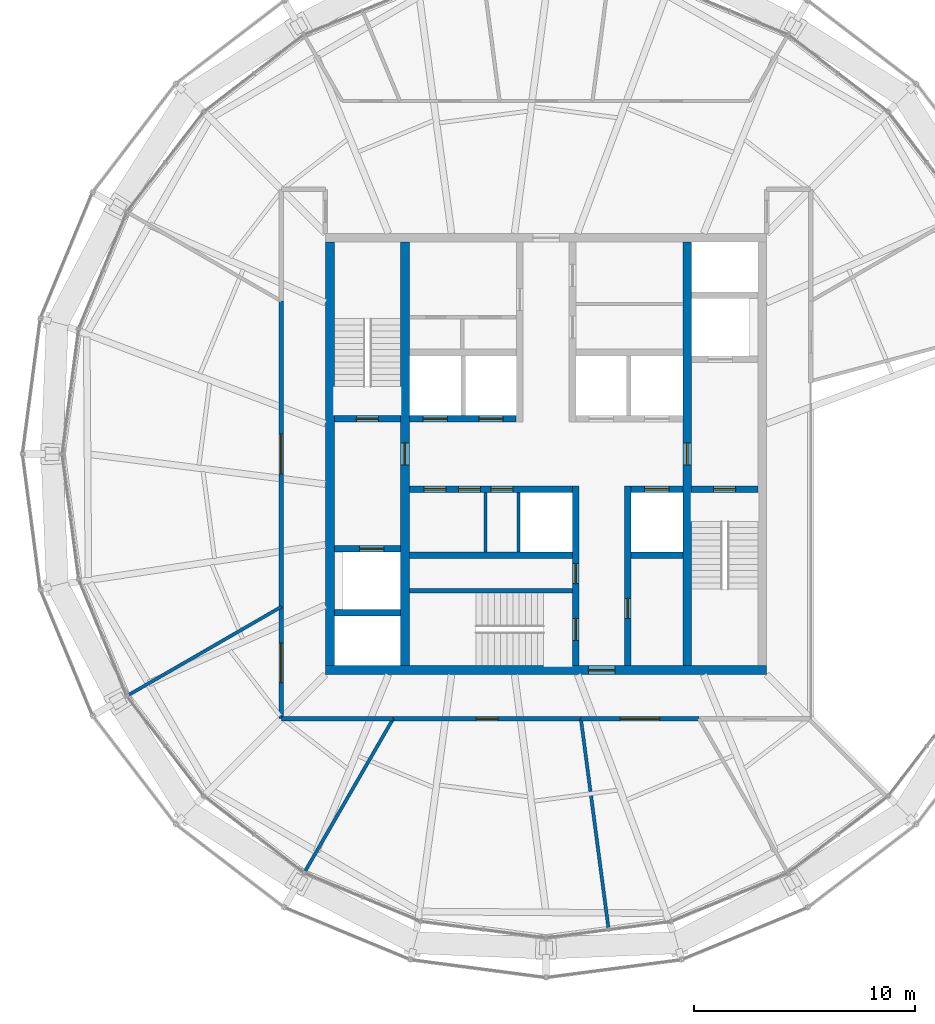
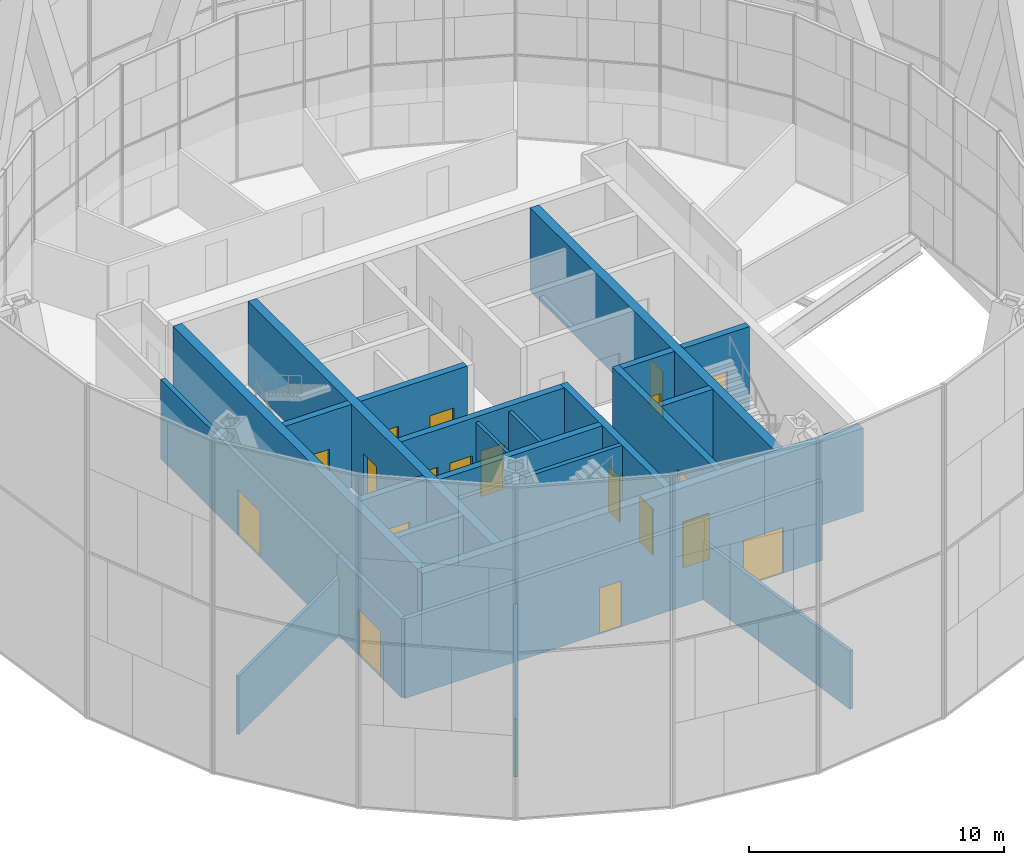
# One storey, part 19 of 22: 26 walls, 19 doors, 19 openings.
"""IFC4 building model written with IfcOpenShell, lengths in metres."""

from ifc_helpers import new_model, si_unit, direction, frame, frame_2d, origin, place, context, subcontext, project, spatial, rectangle, extrude, material, layer, layer_set, type_object, element, fill, save


model = new_model("IFC4")

# Units and contexts
model_context = context("Model", 3, precision=1e-05, world=origin(), true_north=direction((0.0, 1.0)))
body_context = subcontext(model_context, "Body", "Model", "MODEL_VIEW")
ifc_project = project(units=[si_unit("LENGTHUNIT", "METRE"), si_unit("AREAUNIT", "SQUARE_METRE"), si_unit("VOLUMEUNIT", "CUBIC_METRE"), si_unit("PLANEANGLEUNIT", "RADIAN"), si_unit("MASSUNIT", "GRAM", prefix="KILO")], contexts=[model_context])

# Site, building, storey
site_placement = place(None, origin())
site = spatial("IfcSite", under=ifc_project, at=site_placement, CompositionType="ELEMENT")
building_placement = place(site_placement, origin())
building = spatial("IfcBuilding", under=site, at=building_placement, Name="Golbaran Civic Tower", CompositionType="ELEMENT")
storey_placement = place(building_placement, frame((0.0, 0.0, 264.0)))
storey = spatial("IfcBuildingStorey", under=building, at=storey_placement, Name="L64", CompositionType="ELEMENT", Elevation=264.0)

# Walls
ifc_material_1 = material(Name="Concrete block", Category="concrete")
ifc_layer_1 = layer(ifc_material_1, 0.14990234375, Name="Concrete block")
ifc_layer_set_1 = layer_set([ifc_layer_1], Name="Concrete block")
wall_type_1 = type_object("IfcWallType", Name="BLOCKWORK PARTITION 150", PredefinedType="PARTITIONING", material=ifc_layer_set_1)
for number, where, z_axis, x_axis, name in (
    (1, (-2.739990234375, -1.75, 0.0), (0.0, 0.0, 1.0), (0.0, -1.0, 0.0), "Core room partition HP0 L64"),
    (2, (-1.25, -1.75, 0.0), (0.0, 0.0, 1.0), (0.0, -1.0, 0.0), "Lift H3 hoistway west wall L64"),
):
    element("IfcWall", number, at=place(storey_placement, frame(where, z_axis=z_axis, x_axis=x_axis)), inside=storey, type_object=wall_type_1, Name=name, PredefinedType="PARTITIONING", context=body_context, shape_type="SweptSolid", body=[
        extrude(rectangle(XDim=2.699951171875, YDim=0.14990234375, at=frame_2d((1.35009765625, 0.0))), origin(), (0.0, 0.0, 1.0), 3.75),
    ])

# Wall, opening, door
ifc_material_2 = material(Name="Concrete C50/60", Category="concrete")
ifc_layer_2 = layer(ifc_material_2, 0.39990234375, Name="Concrete C50/60")
ifc_layer_set_2 = layer_set([ifc_layer_2], Name="Concrete C50/60")
wall_type_2 = type_object("IfcWallType", Name="CORE WALL CONCRETE 400", PredefinedType="SOLIDWALL", material=ifc_layer_set_2)
wall_1_placement = place(storey_placement, frame((10.0, -9.800048828125, 0.0), z_axis=(0.0, 0.0, 1.0), x_axis=(-1.0, 0.0, 0.0)))
wall_1 = element("IfcWall", 3, at=wall_1_placement, inside=storey, type_object=wall_type_2, Name="Core wall CS L64", PredefinedType="SOLIDWALL", context=body_context, shape_type="SweptSolid", body=[
    extrude(rectangle(XDim=20.0, YDim=0.39990234375, at=frame_2d((10.0, 0.0))), origin(), (0.0, 0.0, 1.0), 4.0),
])
opening_1_placement = place(wall_1_placement, frame((6.875, 0.0, 0.0)))
opening_1 = element("IfcOpeningElement", 4, at=opening_1_placement, cuts=wall_1, Name="Opening L64.CS", PredefinedType="OPENING", context=body_context, shape_type="SweptSolid", body=[
    extrude(rectangle(XDim=1.199951171875, YDim=2.199951171875, at=frame_2d((0.60009765625, 1.10009765625))), frame((0.0, 0.2099609375, 0.0), z_axis=(0.0, -1.0, 0.0), x_axis=(1.0, 0.0, 0.0)), (0.0, 0.0, 1.0), 0.419921875),
])
ifc_material_3 = material(Name="Timber door set in steel frame", Category="steel")
door_type_1 = type_object("IfcDoorType", Name="CORE DOOR 1200x2200", OperationType="DOUBLE_DOOR_SINGLE_SWING", PredefinedType="DOOR", material=ifc_material_3)
door_1_placement = place(opening_1_placement, origin())
door_1 = element("IfcDoor", 5, at=door_1_placement, inside=storey, type_object=door_type_1, Name="Core door south", OperationType="DOUBLE_DOOR_SINGLE_SWING", OverallHeight=2.199951171875, OverallWidth=1.199951171875, PredefinedType="DOOR", context=body_context, shape_type="SweptSolid", body=[
    extrude(rectangle(XDim=1.199951171875, YDim=2.199951171875, at=frame_2d((0.60009765625, 1.10009765625))), frame((0.0, 0.02490234375, 0.0), z_axis=(0.0, -1.0, 0.0), x_axis=(1.0, 0.0, 0.0)), (0.0, 0.0, 1.0), 0.050048828125),
])
fill(opening_1, door_1)

# Wall
wall_2_placement = place(storey_placement, frame((-9.800048828125, 9.60009765625, 0.0), z_axis=(0.0, 0.0, 1.0), x_axis=(0.0, -1.0, 0.0)))
element("IfcWall", 6, at=wall_2_placement, inside=storey, type_object=wall_type_2, Name="Core wall CW L64", PredefinedType="SOLIDWALL", context=body_context, shape_type="SweptSolid", body=[
    extrude(rectangle(XDim=19.2001953125, YDim=0.39990234375, at=frame_2d((9.60009765625, 0.0))), origin(), (0.0, 0.0, 1.0), 4.0),
])

# Wall, opening, door
wall_3_placement = place(storey_placement, frame((-6.39990234375, -9.60009765625, 0.0), z_axis=(0.0, 0.0, 1.0), x_axis=(0.0, 1.0, 0.0)))
wall_3 = element("IfcWall", 7, at=wall_3_placement, inside=storey, type_object=wall_type_2, Name="Core wall IW L64", PredefinedType="SOLIDWALL", context=body_context, shape_type="SweptSolid", body=[
    extrude(rectangle(XDim=19.2001953125, YDim=0.39990234375, at=frame_2d((9.60009765625, 0.0))), origin(), (0.0, 0.0, 1.0), 4.0),
])
opening_2_placement = place(wall_3_placement, frame((9.10009765625, 0.0, 0.0)))
opening_2 = element("IfcOpeningElement", 8, at=opening_2_placement, cuts=wall_3, Name="Opening L64.FL1", PredefinedType="OPENING", context=body_context, shape_type="SweptSolid", body=[
    extrude(rectangle(XDim=1.0, YDim=2.199951171875, at=frame_2d((0.5, 1.10009765625))), frame((0.0, 0.2099609375, 0.0), z_axis=(0.0, -1.0, 0.0), x_axis=(1.0, 0.0, 0.0)), (0.0, 0.0, 1.0), 0.419921875),
])
door_type_2 = type_object("IfcDoorType", Name="STAIR DOOR 1000x2200", OperationType="SINGLE_SWING_LEFT", PredefinedType="DOOR", material=ifc_material_3)
door_2_placement = place(opening_2_placement, origin())
door_2 = element("IfcDoor", 9, at=door_2_placement, inside=storey, type_object=door_type_2, Name="Fire-fighting lobby FL1 door", OperationType="SINGLE_SWING_LEFT", OverallHeight=2.199951171875, OverallWidth=1.0, PredefinedType="DOOR", context=body_context, shape_type="SweptSolid", body=[
    extrude(rectangle(XDim=1.0, YDim=2.199951171875, at=frame_2d((0.5, 1.10009765625))), frame((0.0, 0.02490234375, 0.0), z_axis=(0.0, -1.0, 0.0), x_axis=(1.0, 0.0, 0.0)), (0.0, 0.0, 1.0), 0.050048828125),
])
fill(opening_2, door_2)

wall_4_placement = place(storey_placement, frame((6.39990234375, 9.60009765625, 0.0), z_axis=(0.0, 0.0, 1.0), x_axis=(0.0, -1.0, 0.0)))
wall_4 = element("IfcWall", 10, at=wall_4_placement, inside=storey, type_object=wall_type_2, Name="Core wall IE L64", PredefinedType="SOLIDWALL", context=body_context, shape_type="SweptSolid", body=[
    extrude(rectangle(XDim=19.2001953125, YDim=0.39990234375, at=frame_2d((9.60009765625, 0.0))), origin(), (0.0, 0.0, 1.0), 4.0),
])
opening_3_placement = place(wall_4_placement, frame((9.10009765625, 0.0, 0.0)))
opening_3 = element("IfcOpeningElement", 11, at=opening_3_placement, cuts=wall_4, Name="Opening L64.FL2", PredefinedType="OPENING", context=body_context, shape_type="SweptSolid", body=[
    extrude(rectangle(XDim=1.0, YDim=2.199951171875, at=frame_2d((0.5, 1.10009765625))), frame((0.0, 0.2099609375, 0.0), z_axis=(0.0, -1.0, 0.0), x_axis=(1.0, 0.0, 0.0)), (0.0, 0.0, 1.0), 0.419921875),
])
door_3_placement = place(opening_3_placement, origin())
door_3 = element("IfcDoor", 12, at=door_3_placement, inside=storey, type_object=door_type_2, Name="Fire-fighting lobby FL2 door", OperationType="SINGLE_SWING_RIGHT", OverallHeight=2.199951171875, OverallWidth=1.0, PredefinedType="DOOR", context=body_context, shape_type="SweptSolid", body=[
    extrude(rectangle(XDim=1.0, YDim=2.199951171875, at=frame_2d((0.5, 1.10009765625))), frame((0.0, 0.02490234375, 0.0), z_axis=(0.0, -1.0, 0.0), x_axis=(1.0, 0.0, 0.0)), (0.0, 0.0, 1.0), 0.050048828125),
])
fill(opening_3, door_3)

ifc_material_4 = material(Name="Gypsum board on steel studs, fire-rated", Category="steel")
ifc_layer_3 = layer(ifc_material_4, 0.199951171875, Name="Gypsum board on steel studs, fire-rated")
ifc_layer_set_3 = layer_set([ifc_layer_3], Name="Gypsum board on steel studs, fire-rated")
wall_type_3 = type_object("IfcWallType", Name="CORRIDOR WALL 200", PredefinedType="PARTITIONING", material=ifc_layer_set_3)
wall_5_placement = place(storey_placement, frame((-12.0, 6.92822265625, 0.0), z_axis=(0.0, 0.0, 1.0), x_axis=(0.0, -1.0, 0.0)))
wall_5 = element("IfcWall", 13, at=wall_5_placement, inside=storey, type_object=wall_type_3, Name="Corridor wall L64", PredefinedType="PARTITIONING", context=body_context, shape_type="SweptSolid", body=[
    extrude(rectangle(XDim=13.8564453125, YDim=0.199951171875, at=frame_2d((6.92822265625, 0.0))), origin(), (0.0, 0.0, 1.0), 3.800048828125),
])
opening_4_placement = place(wall_5_placement, frame((6.0283203125, 0.0, 0.0)))
opening_4 = element("IfcOpeningElement", 14, at=opening_4_placement, cuts=wall_5, Name="Opening L64.06", PredefinedType="OPENING", context=body_context, shape_type="SweptSolid", body=[
    extrude(rectangle(XDim=1.800048828125, YDim=2.199951171875, at=frame_2d((0.89990234375, 1.10009765625))), frame((0.0, 0.10986328125, 0.0), z_axis=(0.0, -1.0, 0.0), x_axis=(1.0, 0.0, 0.0)), (0.0, 0.0, 1.0), 0.219970703125),
])
door_type_3 = type_object("IfcDoorType", Name="OFFICE DOUBLE DOOR 1800x2200", OperationType="DOUBLE_DOOR_SINGLE_SWING", PredefinedType="DOOR", material=ifc_material_3)
door_4_placement = place(opening_4_placement, origin())
door_4 = element("IfcDoor", 15, at=door_4_placement, inside=storey, type_object=door_type_3, Name="Open Office door L64", OperationType="DOUBLE_DOOR_SINGLE_SWING", OverallHeight=2.199951171875, OverallWidth=1.800048828125, PredefinedType="DOOR", context=body_context, shape_type="SweptSolid", body=[
    extrude(rectangle(XDim=1.800048828125, YDim=2.199951171875, at=frame_2d((0.89990234375, 1.10009765625))), frame((0.0, 0.02490234375, 0.0), z_axis=(0.0, -1.0, 0.0), x_axis=(1.0, 0.0, 0.0)), (0.0, 0.0, 1.0), 0.050048828125),
])
fill(opening_4, door_4)

wall_6_placement = place(storey_placement, frame((-12.0, -6.92822265625, 0.0), z_axis=(0.0, 0.0, 1.0), x_axis=(0.0, -1.0, 0.0)))
wall_6 = element("IfcWall", 16, at=wall_6_placement, inside=storey, type_object=wall_type_3, Name="Corridor wall L64", PredefinedType="PARTITIONING", context=body_context, shape_type="SweptSolid", body=[
    extrude(rectangle(XDim=5.07177734375, YDim=0.199951171875, at=frame_2d((2.535888671875, 0.0))), origin(), (0.0, 0.0, 1.0), 3.800048828125),
])
opening_5_placement = place(wall_6_placement, frame((1.635986328125, 0.0, 0.0)))
opening_5 = element("IfcOpeningElement", 17, at=opening_5_placement, cuts=wall_6, Name="Opening L64.07", PredefinedType="OPENING", context=body_context, shape_type="SweptSolid", body=[
    extrude(rectangle(XDim=1.800048828125, YDim=2.199951171875, at=frame_2d((0.89990234375, 1.10009765625))), frame((0.0, 0.10986328125, 0.0), z_axis=(0.0, -1.0, 0.0), x_axis=(1.0, 0.0, 0.0)), (0.0, 0.0, 1.0), 0.219970703125),
])
door_5_placement = place(opening_5_placement, origin())
door_5 = element("IfcDoor", 18, at=door_5_placement, inside=storey, type_object=door_type_3, Name="Open Office door L64", OperationType="DOUBLE_DOOR_SINGLE_SWING", OverallHeight=2.199951171875, OverallWidth=1.800048828125, PredefinedType="DOOR", context=body_context, shape_type="SweptSolid", body=[
    extrude(rectangle(XDim=1.800048828125, YDim=2.199951171875, at=frame_2d((0.89990234375, 1.10009765625))), frame((0.0, 0.02490234375, 0.0), z_axis=(0.0, -1.0, 0.0), x_axis=(1.0, 0.0, 0.0)), (0.0, 0.0, 1.0), 0.050048828125),
])
fill(opening_5, door_5)

# Wall
wall_7_placement = place(storey_placement, frame((-12.0, -12.0, 0.0), z_axis=(0.0, 0.0, 1.0), x_axis=(1.0, 0.0, 0.0)))
element("IfcWall", 19, at=wall_7_placement, inside=storey, type_object=wall_type_3, Name="Corridor wall L64", PredefinedType="PARTITIONING", context=body_context, shape_type="SweptSolid", body=[
    extrude(rectangle(XDim=5.07177734375, YDim=0.199951171875, at=frame_2d((2.535888671875, 0.0))), origin(), (0.0, 0.0, 1.0), 3.800048828125),
])

# Wall, opening, door
wall_8_placement = place(storey_placement, frame((-6.92822265625, -12.0, 0.0), z_axis=(0.0, 0.0, 1.0), x_axis=(1.0, 0.0, 0.0)))
wall_8 = element("IfcWall", 20, at=wall_8_placement, inside=storey, type_object=wall_type_3, Name="Corridor wall L64", PredefinedType="PARTITIONING", context=body_context, shape_type="SweptSolid", body=[
    extrude(rectangle(XDim=8.508056640625, YDim=0.199951171875, at=frame_2d((4.25390625, 0.0))), origin(), (0.0, 0.0, 1.0), 3.800048828125),
])
opening_6_placement = place(wall_8_placement, frame((3.75390625, 0.0, 0.0)))
opening_6 = element("IfcOpeningElement", 21, at=opening_6_placement, cuts=wall_8, Name="Opening L64.08", PredefinedType="OPENING", context=body_context, shape_type="SweptSolid", body=[
    extrude(rectangle(XDim=1.0, YDim=2.199951171875, at=frame_2d((0.5, 1.10009765625))), frame((0.0, 0.10986328125, 0.0), z_axis=(0.0, -1.0, 0.0), x_axis=(1.0, 0.0, 0.0)), (0.0, 0.0, 1.0), 0.219970703125),
])
door_type_4 = type_object("IfcDoorType", Name="OFFICE DOOR 1000x2200", OperationType="SINGLE_SWING_LEFT", PredefinedType="DOOR", material=ifc_material_3)
door_6_placement = place(opening_6_placement, origin())
door_6 = element("IfcDoor", 22, at=door_6_placement, inside=storey, type_object=door_type_4, Name="Project Room door L64", OperationType="SINGLE_SWING_LEFT", OverallHeight=2.199951171875, OverallWidth=1.0, PredefinedType="DOOR", context=body_context, shape_type="SweptSolid", body=[
    extrude(rectangle(XDim=1.0, YDim=2.199951171875, at=frame_2d((0.5, 1.10009765625))), frame((0.0, 0.02490234375, 0.0), z_axis=(0.0, -1.0, 0.0), x_axis=(1.0, 0.0, 0.0)), (0.0, 0.0, 1.0), 0.050048828125),
])
fill(opening_6, door_6)

wall_9_placement = place(storey_placement, frame((1.579833984375, -12.0, 0.0), z_axis=(0.0, 0.0, 1.0), x_axis=(1.0, 0.0, 0.0)))
wall_9 = element("IfcWall", 23, at=wall_9_placement, inside=storey, type_object=wall_type_3, Name="Corridor wall L64", PredefinedType="PARTITIONING", context=body_context, shape_type="SweptSolid", body=[
    extrude(rectangle(XDim=5.348388671875, YDim=0.199951171875, at=frame_2d((2.67431640625, 0.0))), origin(), (0.0, 0.0, 1.0), 3.800048828125),
])
opening_7_placement = place(wall_9_placement, frame((1.774169921875, 0.0, 0.0)))
opening_7 = element("IfcOpeningElement", 24, at=opening_7_placement, cuts=wall_9, Name="Opening L64.09", PredefinedType="OPENING", context=body_context, shape_type="SweptSolid", body=[
    extrude(rectangle(XDim=1.800048828125, YDim=2.199951171875, at=frame_2d((0.89990234375, 1.10009765625))), frame((0.0, 0.10986328125, 0.0), z_axis=(0.0, -1.0, 0.0), x_axis=(1.0, 0.0, 0.0)), (0.0, 0.0, 1.0), 0.219970703125),
])
door_7_placement = place(opening_7_placement, origin())
door_7 = element("IfcDoor", 25, at=door_7_placement, inside=storey, type_object=door_type_3, Name="Open Office door L64", OperationType="DOUBLE_DOOR_SINGLE_SWING", OverallHeight=2.199951171875, OverallWidth=1.800048828125, PredefinedType="DOOR", context=body_context, shape_type="SweptSolid", body=[
    extrude(rectangle(XDim=1.800048828125, YDim=2.199951171875, at=frame_2d((0.89990234375, 1.10009765625))), frame((0.0, 0.02490234375, 0.0), z_axis=(0.0, -1.0, 0.0), x_axis=(1.0, 0.0, 0.0)), (0.0, 0.0, 1.0), 0.050048828125),
])
fill(opening_7, door_7)

# Walls
ifc_material_5 = material(Name="Gypsum board on steel studs", Category="steel")
ifc_layer_4 = layer(ifc_material_5, 0.14990234375, Name="Gypsum board on steel studs")
ifc_layer_set_4 = layer_set([ifc_layer_4], Name="Gypsum board on steel studs")
wall_type_4 = type_object("IfcWallType", Name="OFFICE PARTITION 150", PredefinedType="PARTITIONING", material=ifc_layer_set_4)
for number, where, z_axis, x_axis, name in (
    (26, (-12.0, -6.92822265625, 0.0), (0.0, 0.0, 1.0), (-0.86602940896, -0.499993062769, 0.0), "Partition 210 L64"),
    (27, (-6.92822265625, -12.0, 0.0), (0.0, 0.0, 1.0), (-0.499993062769, -0.86602940896, 0.0), "Partition 240 L64"),
):
    element("IfcWall", number, at=place(storey_placement, frame(where, z_axis=z_axis, x_axis=x_axis)), inside=storey, type_object=wall_type_4, Name=name, PredefinedType="PARTITIONING", context=body_context, shape_type="SweptSolid", body=[
        extrude(rectangle(XDim=7.99169921875, YDim=0.14990234375, at=frame_2d((3.995849609375, 0.0))), origin(), (0.0, 0.0, 1.0), 2.7900390625),
    ])
wall_10_placement = place(storey_placement, frame((1.579833984375, -12.0, 0.0), z_axis=(0.0, 0.0, 1.0), x_axis=(0.130527195513, -0.991444729287, 0.0)))
element("IfcWall", 28, at=wall_10_placement, inside=storey, type_object=wall_type_4, Name="Partition 277.5 L64", PredefinedType="PARTITIONING", context=body_context, shape_type="SweptSolid", body=[
    extrude(rectangle(XDim=9.557861328125, YDim=0.14990234375, at=frame_2d((4.77880859375, 0.0))), origin(), (0.0, 0.0, 1.0), 2.7900390625),
])
ifc_layer_5 = layer(ifc_material_2, 0.199951171875, Name="Concrete C50/60")
ifc_layer_set_5 = layer_set([ifc_layer_5], Name="Concrete C50/60")
wall_type_5 = type_object("IfcWallType", Name="SHAFT WALL CONCRETE 200", PredefinedType="SOLIDWALL", material=ifc_layer_set_5)
wall_11_placement = place(storey_placement, frame((-6.199951171875, -6.199951171875, 0.0), z_axis=(0.0, 0.0, 1.0), x_axis=(1.0, 0.0, 0.0)))
element("IfcWall", 29, at=wall_11_placement, inside=storey, type_object=wall_type_5, Name="Core wall S3N L64", PredefinedType="SOLIDWALL", context=body_context, shape_type="SweptSolid", body=[
    extrude(rectangle(XDim=7.39990234375, YDim=0.199951171875, at=frame_2d((3.699951171875, 0.0))), origin(), (0.0, 0.0, 1.0), 4.0),
])

# Wall, openings, doors
ifc_layer_6 = layer(ifc_material_2, 0.300048828125, Name="Concrete C50/60")
ifc_layer_set_6 = layer_set([ifc_layer_6], Name="Concrete C50/60")
wall_type_6 = type_object("IfcWallType", Name="SHAFT WALL CONCRETE 300", PredefinedType="SOLIDWALL", material=ifc_layer_set_6)
wall_12_placement = place(storey_placement, frame((-6.199951171875, 1.60009765625, 0.0), z_axis=(0.0, 0.0, 1.0), x_axis=(1.0, 0.0, 0.0)))
wall_12 = element("IfcWall", 30, at=wall_12_placement, inside=storey, type_object=wall_type_6, Name="Core wall FNW L64", PredefinedType="SOLIDWALL", context=body_context, shape_type="SweptSolid", body=[
    extrude(rectangle(XDim=4.849853515625, YDim=0.300048828125, at=frame_2d((2.4248046875, 0.0))), origin(), (0.0, 0.0, 1.0), 4.0),
])
opening_8_placement = place(wall_12_placement, frame((0.625, 0.0, 0.0)))
opening_8 = element("IfcOpeningElement", 31, at=opening_8_placement, cuts=wall_12, Name="Opening L64.LD-Z1T", PredefinedType="OPENING", context=body_context, shape_type="SweptSolid", body=[
    extrude(rectangle(XDim=1.10009765625, YDim=2.199951171875, at=frame_2d((0.550048828125, 1.10009765625))), frame((0.0, 0.159912109375, 0.0), z_axis=(0.0, -1.0, 0.0), x_axis=(1.0, 0.0, 0.0)), (0.0, 0.0, 1.0), 0.320068359375),
])
opening_9_placement = place(wall_12_placement, frame((3.14990234375, 0.0, 0.0)))
opening_9 = element("IfcOpeningElement", 32, at=opening_9_placement, cuts=wall_12, Name="Opening L64.LD-Z2T", PredefinedType="OPENING", context=body_context, shape_type="SweptSolid", body=[
    extrude(rectangle(XDim=1.10009765625, YDim=2.199951171875, at=frame_2d((0.550048828125, 1.10009765625))), frame((0.0, 0.159912109375, 0.0), z_axis=(0.0, -1.0, 0.0), x_axis=(1.0, 0.0, 0.0)), (0.0, 0.0, 1.0), 0.320068359375),
])
ifc_material_6 = material(Name="Stainless steel", Category="steel")
door_type_5 = type_object("IfcDoorType", Name="LIFT LANDING DOOR 1100x2200", OperationType="SLIDING_TO_LEFT", PredefinedType="DOOR", material=ifc_material_6)
door_8_placement = place(opening_8_placement, origin())
door_8 = element("IfcDoor", 33, at=door_8_placement, inside=storey, type_object=door_type_5, Name="Lift landing door Z1T", OperationType="SLIDING_TO_LEFT", OverallHeight=2.199951171875, OverallWidth=1.10009765625, PredefinedType="DOOR", context=body_context, shape_type="SweptSolid", body=[
    extrude(rectangle(XDim=1.10009765625, YDim=2.199951171875, at=frame_2d((0.550048828125, 1.10009765625))), frame((0.0, 0.02490234375, 0.0), z_axis=(0.0, -1.0, 0.0), x_axis=(1.0, 0.0, 0.0)), (0.0, 0.0, 1.0), 0.050048828125),
])
fill(opening_8, door_8)
door_9_placement = place(opening_9_placement, origin())
door_9 = element("IfcDoor", 34, at=door_9_placement, inside=storey, type_object=door_type_5, Name="Lift landing door Z2T", OperationType="SLIDING_TO_LEFT", OverallHeight=2.199951171875, OverallWidth=1.10009765625, PredefinedType="DOOR", context=body_context, shape_type="SweptSolid", body=[
    extrude(rectangle(XDim=1.10009765625, YDim=2.199951171875, at=frame_2d((0.550048828125, 1.10009765625))), frame((0.0, 0.02490234375, 0.0), z_axis=(0.0, -1.0, 0.0), x_axis=(1.0, 0.0, 0.0)), (0.0, 0.0, 1.0), 0.050048828125),
])
fill(opening_9, door_9)

wall_13_placement = place(storey_placement, frame((-6.199951171875, -1.60009765625, 0.0), z_axis=(0.0, 0.0, 1.0), x_axis=(1.0, 0.0, 0.0)))
wall_13 = element("IfcWall", 35, at=wall_13_placement, inside=storey, type_object=wall_type_6, Name="Core wall FSW L64", PredefinedType="SOLIDWALL", context=body_context, shape_type="SweptSolid", body=[
    extrude(rectangle(XDim=7.39990234375, YDim=0.300048828125, at=frame_2d((3.699951171875, 0.0))), origin(), (0.0, 0.0, 1.0), 4.0),
])
opening_10_placement = place(wall_13_placement, frame((0.675048828125, 0.0, 0.0)))
opening_10 = element("IfcOpeningElement", 36, at=opening_10_placement, cuts=wall_13, Name="Opening L64.H1R", PredefinedType="OPENING", context=body_context, shape_type="SweptSolid", body=[
    extrude(rectangle(XDim=1.0, YDim=2.199951171875, at=frame_2d((0.5, 1.10009765625))), frame((0.0, 0.159912109375, 0.0), z_axis=(0.0, -1.0, 0.0), x_axis=(1.0, 0.0, 0.0)), (0.0, 0.0, 1.0), 0.320068359375),
])
opening_11_placement = place(wall_13_placement, frame((2.22509765625, 0.0, 0.0)))
opening_11 = element("IfcOpeningElement", 37, at=opening_11_placement, cuts=wall_13, Name="Opening L64.H2R", PredefinedType="OPENING", context=body_context, shape_type="SweptSolid", body=[
    extrude(rectangle(XDim=1.0, YDim=2.199951171875, at=frame_2d((0.5, 1.10009765625))), frame((0.0, 0.159912109375, 0.0), z_axis=(0.0, -1.0, 0.0), x_axis=(1.0, 0.0, 0.0)), (0.0, 0.0, 1.0), 0.320068359375),
])
opening_12_placement = place(wall_13_placement, frame((3.695068359375, 0.0, 0.0)))
opening_12 = element("IfcOpeningElement", 38, at=opening_12_placement, cuts=wall_13, Name="Opening L64.H3R", PredefinedType="OPENING", context=body_context, shape_type="SweptSolid", body=[
    extrude(rectangle(XDim=1.0, YDim=2.199951171875, at=frame_2d((0.5, 1.10009765625))), frame((0.0, 0.159912109375, 0.0), z_axis=(0.0, -1.0, 0.0), x_axis=(1.0, 0.0, 0.0)), (0.0, 0.0, 1.0), 0.320068359375),
])
door_type_6 = type_object("IfcDoorType", Name="CORE ROOM DOOR 1000x2200", OperationType="SINGLE_SWING_LEFT", PredefinedType="DOOR", material=ifc_material_3)
door_10_placement = place(opening_10_placement, origin())
door_10 = element("IfcDoor", 39, at=door_10_placement, inside=storey, type_object=door_type_6, Name="Staff Pantry door", OperationType="SINGLE_SWING_LEFT", OverallHeight=2.199951171875, OverallWidth=1.0, PredefinedType="DOOR", context=body_context, shape_type="SweptSolid", body=[
    extrude(rectangle(XDim=1.0, YDim=2.199951171875, at=frame_2d((0.5, 1.10009765625))), frame((0.0, 0.02490234375, 0.0), z_axis=(0.0, -1.0, 0.0), x_axis=(1.0, 0.0, 0.0)), (0.0, 0.0, 1.0), 0.050048828125),
])
fill(opening_10, door_10)
door_11_placement = place(opening_11_placement, origin())
door_11 = element("IfcDoor", 40, at=door_11_placement, inside=storey, type_object=door_type_6, Name="Staff Pantry door", OperationType="SINGLE_SWING_LEFT", OverallHeight=2.199951171875, OverallWidth=1.0, PredefinedType="DOOR", context=body_context, shape_type="SweptSolid", body=[
    extrude(rectangle(XDim=1.0, YDim=2.199951171875, at=frame_2d((0.5, 1.10009765625))), frame((0.0, 0.02490234375, 0.0), z_axis=(0.0, -1.0, 0.0), x_axis=(1.0, 0.0, 0.0)), (0.0, 0.0, 1.0), 0.050048828125),
])
fill(opening_11, door_11)
door_12_placement = place(opening_12_placement, origin())
door_12 = element("IfcDoor", 41, at=door_12_placement, inside=storey, type_object=door_type_6, Name="Cleaner's Store door", OperationType="SINGLE_SWING_RIGHT", OverallHeight=2.199951171875, OverallWidth=1.0, PredefinedType="DOOR", context=body_context, shape_type="SweptSolid", body=[
    extrude(rectangle(XDim=1.0, YDim=2.199951171875, at=frame_2d((0.5, 1.10009765625))), frame((0.0, 0.02490234375, 0.0), z_axis=(0.0, -1.0, 0.0), x_axis=(1.0, 0.0, 0.0)), (0.0, 0.0, 1.0), 0.050048828125),
])
fill(opening_12, door_12)

# Wall, opening, door
wall_14_placement = place(storey_placement, frame((3.85009765625, -1.60009765625, 0.0), z_axis=(0.0, 0.0, 1.0), x_axis=(1.0, 0.0, 0.0)))
wall_14 = element("IfcWall", 42, at=wall_14_placement, inside=storey, type_object=wall_type_6, Name="Core wall FSE L64", PredefinedType="SOLIDWALL", context=body_context, shape_type="SweptSolid", body=[
    extrude(rectangle(XDim=2.349853515625, YDim=0.300048828125, at=frame_2d((1.1748046875, 0.0))), origin(), (0.0, 0.0, 1.0), 4.0),
])
opening_13_placement = place(wall_14_placement, frame((0.625, 0.0, 0.0)))
opening_13 = element("IfcOpeningElement", 43, at=opening_13_placement, cuts=wall_14, Name="Opening L64.LD-V1", PredefinedType="OPENING", context=body_context, shape_type="SweptSolid", body=[
    extrude(rectangle(XDim=1.10009765625, YDim=2.199951171875, at=frame_2d((0.550048828125, 1.10009765625))), frame((0.0, 0.159912109375, 0.0), z_axis=(0.0, -1.0, 0.0), x_axis=(1.0, 0.0, 0.0)), (0.0, 0.0, 1.0), 0.320068359375),
])
door_13_placement = place(opening_13_placement, origin())
door_13 = element("IfcDoor", 44, at=door_13_placement, inside=storey, type_object=door_type_5, Name="Lift landing door V1", OperationType="SLIDING_TO_LEFT", OverallHeight=2.199951171875, OverallWidth=1.10009765625, PredefinedType="DOOR", context=body_context, shape_type="SweptSolid", body=[
    extrude(rectangle(XDim=1.10009765625, YDim=2.199951171875, at=frame_2d((0.550048828125, 1.10009765625))), frame((0.0, 0.02490234375, 0.0), z_axis=(0.0, -1.0, 0.0), x_axis=(1.0, 0.0, 0.0)), (0.0, 0.0, 1.0), 0.050048828125),
])
fill(opening_13, door_13)

# Walls
wall_15_placement = place(storey_placement, frame((-6.199951171875, -4.60009765625, 0.0), z_axis=(0.0, 0.0, 1.0), x_axis=(1.0, 0.0, 0.0)))
element("IfcWall", 45, at=wall_15_placement, inside=storey, type_object=wall_type_6, Name="Core wall BSW L64", PredefinedType="SOLIDWALL", context=body_context, shape_type="SweptSolid", body=[
    extrude(rectangle(XDim=7.39990234375, YDim=0.300048828125, at=frame_2d((3.699951171875, 0.0))), origin(), (0.0, 0.0, 1.0), 4.0),
])
wall_16_placement = place(storey_placement, frame((3.85009765625, -4.60009765625, 0.0), z_axis=(0.0, 0.0, 1.0), x_axis=(1.0, 0.0, 0.0)))
element("IfcWall", 46, at=wall_16_placement, inside=storey, type_object=wall_type_6, Name="Core wall BSE L64", PredefinedType="SOLIDWALL", context=body_context, shape_type="SweptSolid", body=[
    extrude(rectangle(XDim=2.349853515625, YDim=0.300048828125, at=frame_2d((1.1748046875, 0.0))), origin(), (0.0, 0.0, 1.0), 4.0),
])

# Wall, openings, doors
wall_17_placement = place(storey_placement, frame((1.35009765625, -1.449951171875, 0.0), z_axis=(0.0, 0.0, 1.0), x_axis=(0.0, -1.0, 0.0)))
wall_17 = element("IfcWall", 47, at=wall_17_placement, inside=storey, type_object=wall_type_6, Name="Core wall PSW L64", PredefinedType="SOLIDWALL", context=body_context, shape_type="SweptSolid", body=[
    extrude(rectangle(XDim=8.150146484375, YDim=0.300048828125, at=frame_2d((4.0751953125, 0.0))), origin(), (0.0, 0.0, 1.0), 4.0),
])
opening_14_placement = place(wall_17_placement, frame((6.0, 0.0, 0.0)))
opening_14 = element("IfcOpeningElement", 48, at=opening_14_placement, cuts=wall_17, Name="Opening L64.S3", PredefinedType="OPENING", context=body_context, shape_type="SweptSolid", body=[
    extrude(rectangle(XDim=1.0, YDim=2.199951171875, at=frame_2d((0.5, 1.10009765625))), frame((0.0, 0.159912109375, 0.0), z_axis=(0.0, -1.0, 0.0), x_axis=(1.0, 0.0, 0.0)), (0.0, 0.0, 1.0), 0.320068359375),
])
opening_15_placement = place(wall_17_placement, frame((3.52490234375, 0.0, 0.0)))
opening_15 = element("IfcOpeningElement", 49, at=opening_15_placement, cuts=wall_17, Name="Opening L64.RE", PredefinedType="OPENING", context=body_context, shape_type="SweptSolid", body=[
    extrude(rectangle(XDim=0.89990234375, YDim=2.199951171875, at=frame_2d((0.449951171875, 1.10009765625))), frame((0.0, 0.159912109375, 0.0), z_axis=(0.0, -1.0, 0.0), x_axis=(1.0, 0.0, 0.0)), (0.0, 0.0, 1.0), 0.320068359375),
])
door_type_7 = type_object("IfcDoorType", Name="RISER DOOR 900x2200", OperationType="SINGLE_SWING_LEFT", PredefinedType="DOOR", material=ifc_material_3)
door_14_placement = place(opening_15_placement, origin())
door_14 = element("IfcDoor", 50, at=door_14_placement, inside=storey, type_object=door_type_7, Name="Electrical riser door", OperationType="SINGLE_SWING_LEFT", OverallHeight=2.199951171875, OverallWidth=0.89990234375, PredefinedType="DOOR", context=body_context, shape_type="SweptSolid", body=[
    extrude(rectangle(XDim=0.89990234375, YDim=2.199951171875, at=frame_2d((0.449951171875, 1.10009765625))), frame((0.0, 0.02490234375, 0.0), z_axis=(0.0, -1.0, 0.0), x_axis=(1.0, 0.0, 0.0)), (0.0, 0.0, 1.0), 0.050048828125),
])
fill(opening_15, door_14)
door_15_placement = place(opening_14_placement, origin())
door_15 = element("IfcDoor", 51, at=door_15_placement, inside=storey, type_object=door_type_2, Name="Stair S3 door", OperationType="SINGLE_SWING_RIGHT", OverallHeight=2.199951171875, OverallWidth=1.0, PredefinedType="DOOR", context=body_context, shape_type="SweptSolid", body=[
    extrude(rectangle(XDim=1.0, YDim=2.199951171875, at=frame_2d((0.5, 1.10009765625))), frame((0.0, 0.02490234375, 0.0), z_axis=(0.0, -1.0, 0.0), x_axis=(1.0, 0.0, 0.0)), (0.0, 0.0, 1.0), 0.050048828125),
])
fill(opening_14, door_15)

# Wall, opening, door
wall_18_placement = place(storey_placement, frame((3.699951171875, -1.449951171875, 0.0), z_axis=(0.0, 0.0, 1.0), x_axis=(0.0, -1.0, 0.0)))
wall_18 = element("IfcWall", 52, at=wall_18_placement, inside=storey, type_object=wall_type_6, Name="Core wall PSE L64", PredefinedType="SOLIDWALL", context=body_context, shape_type="SweptSolid", body=[
    extrude(rectangle(XDim=8.150146484375, YDim=0.300048828125, at=frame_2d((4.0751953125, 0.0))), origin(), (0.0, 0.0, 1.0), 4.0),
])
opening_16_placement = place(wall_18_placement, frame((5.10009765625, 0.0, 0.0)))
opening_16 = element("IfcOpeningElement", 53, at=opening_16_placement, cuts=wall_18, Name="Opening L64.RM", PredefinedType="OPENING", context=body_context, shape_type="SweptSolid", body=[
    extrude(rectangle(XDim=0.89990234375, YDim=2.199951171875, at=frame_2d((0.449951171875, 1.10009765625))), frame((0.0, 0.159912109375, 0.0), z_axis=(0.0, -1.0, 0.0), x_axis=(1.0, 0.0, 0.0)), (0.0, 0.0, 1.0), 0.320068359375),
])
door_16_placement = place(opening_16_placement, origin())
door_16 = element("IfcDoor", 54, at=door_16_placement, inside=storey, type_object=door_type_7, Name="Mechanical riser door", OperationType="SINGLE_SWING_RIGHT", OverallHeight=2.199951171875, OverallWidth=0.89990234375, PredefinedType="DOOR", context=body_context, shape_type="SweptSolid", body=[
    extrude(rectangle(XDim=0.89990234375, YDim=2.199951171875, at=frame_2d((0.449951171875, 1.10009765625))), frame((0.0, 0.02490234375, 0.0), z_axis=(0.0, -1.0, 0.0), x_axis=(1.0, 0.0, 0.0)), (0.0, 0.0, 1.0), 0.050048828125),
])
fill(opening_16, door_16)

wall_19_placement = place(storey_placement, frame((-9.60009765625, 1.60009765625, 0.0), z_axis=(0.0, 0.0, 1.0), x_axis=(1.0, 0.0, 0.0)))
wall_19 = element("IfcWall", 55, at=wall_19_placement, inside=storey, type_object=wall_type_6, Name="Core wall XW1 L64", PredefinedType="SOLIDWALL", context=body_context, shape_type="SweptSolid", body=[
    extrude(rectangle(XDim=3.0, YDim=0.300048828125, at=frame_2d((1.5, 0.0))), origin(), (0.0, 0.0, 1.0), 4.0),
])
opening_17_placement = place(wall_19_placement, frame((1.0, 0.0, 0.0)))
opening_17 = element("IfcOpeningElement", 56, at=opening_17_placement, cuts=wall_19, Name="Opening L64.S1", PredefinedType="OPENING", context=body_context, shape_type="SweptSolid", body=[
    extrude(rectangle(XDim=1.0, YDim=2.199951171875, at=frame_2d((0.5, 1.10009765625))), frame((0.0, 0.159912109375, 0.0), z_axis=(0.0, -1.0, 0.0), x_axis=(1.0, 0.0, 0.0)), (0.0, 0.0, 1.0), 0.320068359375),
])
door_17_placement = place(opening_17_placement, origin())
door_17 = element("IfcDoor", 57, at=door_17_placement, inside=storey, type_object=door_type_2, Name="Stair S1 door", OperationType="SINGLE_SWING_LEFT", OverallHeight=2.199951171875, OverallWidth=1.0, PredefinedType="DOOR", context=body_context, shape_type="SweptSolid", body=[
    extrude(rectangle(XDim=1.0, YDim=2.199951171875, at=frame_2d((0.5, 1.10009765625))), frame((0.0, 0.02490234375, 0.0), z_axis=(0.0, -1.0, 0.0), x_axis=(1.0, 0.0, 0.0)), (0.0, 0.0, 1.0), 0.050048828125),
])
fill(opening_17, door_17)

wall_20_placement = place(storey_placement, frame((6.60009765625, -1.60009765625, 0.0), z_axis=(0.0, 0.0, 1.0), x_axis=(1.0, 0.0, 0.0)))
wall_20 = element("IfcWall", 58, at=wall_20_placement, inside=storey, type_object=wall_type_6, Name="Core wall XE1 L64", PredefinedType="SOLIDWALL", context=body_context, shape_type="SweptSolid", body=[
    extrude(rectangle(XDim=3.0, YDim=0.300048828125, at=frame_2d((1.5, 0.0))), origin(), (0.0, 0.0, 1.0), 4.0),
])
opening_18_placement = place(wall_20_placement, frame((1.0, 0.0, 0.0)))
opening_18 = element("IfcOpeningElement", 59, at=opening_18_placement, cuts=wall_20, Name="Opening L64.S2", PredefinedType="OPENING", context=body_context, shape_type="SweptSolid", body=[
    extrude(rectangle(XDim=1.0, YDim=2.199951171875, at=frame_2d((0.5, 1.10009765625))), frame((0.0, 0.159912109375, 0.0), z_axis=(0.0, -1.0, 0.0), x_axis=(1.0, 0.0, 0.0)), (0.0, 0.0, 1.0), 0.320068359375),
])
door_18_placement = place(opening_18_placement, origin())
door_18 = element("IfcDoor", 60, at=door_18_placement, inside=storey, type_object=door_type_2, Name="Stair S2 door", OperationType="SINGLE_SWING_LEFT", OverallHeight=2.199951171875, OverallWidth=1.0, PredefinedType="DOOR", context=body_context, shape_type="SweptSolid", body=[
    extrude(rectangle(XDim=1.0, YDim=2.199951171875, at=frame_2d((0.5, 1.10009765625))), frame((0.0, 0.02490234375, 0.0), z_axis=(0.0, -1.0, 0.0), x_axis=(1.0, 0.0, 0.0)), (0.0, 0.0, 1.0), 0.050048828125),
])
fill(opening_18, door_18)

wall_21_placement = place(storey_placement, frame((-9.60009765625, -4.300048828125, 0.0), z_axis=(0.0, 0.0, 1.0), x_axis=(1.0, 0.0, 0.0)))
wall_21 = element("IfcWall", 61, at=wall_21_placement, inside=storey, type_object=wall_type_6, Name="Core wall XW2 L64", PredefinedType="SOLIDWALL", context=body_context, shape_type="SweptSolid", body=[
    extrude(rectangle(XDim=3.0, YDim=0.300048828125, at=frame_2d((1.5, 0.0))), origin(), (0.0, 0.0, 1.0), 4.0),
])
opening_19_placement = place(wall_21_placement, frame((1.14990234375, 0.0, 0.0)))
opening_19 = element("IfcOpeningElement", 62, at=opening_19_placement, cuts=wall_21, Name="Opening L64.LD-F1", PredefinedType="OPENING", context=body_context, shape_type="SweptSolid", body=[
    extrude(rectangle(XDim=1.10009765625, YDim=2.199951171875, at=frame_2d((0.550048828125, 1.10009765625))), frame((0.0, 0.159912109375, 0.0), z_axis=(0.0, -1.0, 0.0), x_axis=(1.0, 0.0, 0.0)), (0.0, 0.0, 1.0), 0.320068359375),
])
door_19_placement = place(opening_19_placement, origin())
door_19 = element("IfcDoor", 63, at=door_19_placement, inside=storey, type_object=door_type_5, Name="Lift landing door F1", OperationType="SLIDING_TO_LEFT", OverallHeight=2.199951171875, OverallWidth=1.10009765625, PredefinedType="DOOR", context=body_context, shape_type="SweptSolid", body=[
    extrude(rectangle(XDim=1.10009765625, YDim=2.199951171875, at=frame_2d((0.550048828125, 1.10009765625))), frame((0.0, 0.02490234375, 0.0), z_axis=(0.0, -1.0, 0.0), x_axis=(1.0, 0.0, 0.0)), (0.0, 0.0, 1.0), 0.050048828125),
])
fill(opening_19, door_19)

# Wall
wall_22_placement = place(storey_placement, frame((-9.60009765625, -7.199951171875, 0.0), z_axis=(0.0, 0.0, 1.0), x_axis=(1.0, 0.0, 0.0)))
element("IfcWall", 64, at=wall_22_placement, inside=storey, type_object=wall_type_6, Name="Core wall XW3 L64", PredefinedType="SOLIDWALL", context=body_context, shape_type="SweptSolid", body=[
    extrude(rectangle(XDim=3.0, YDim=0.300048828125, at=frame_2d((1.5, 0.0))), origin(), (0.0, 0.0, 1.0), 4.0),
])

save(model, "model.ifc")
